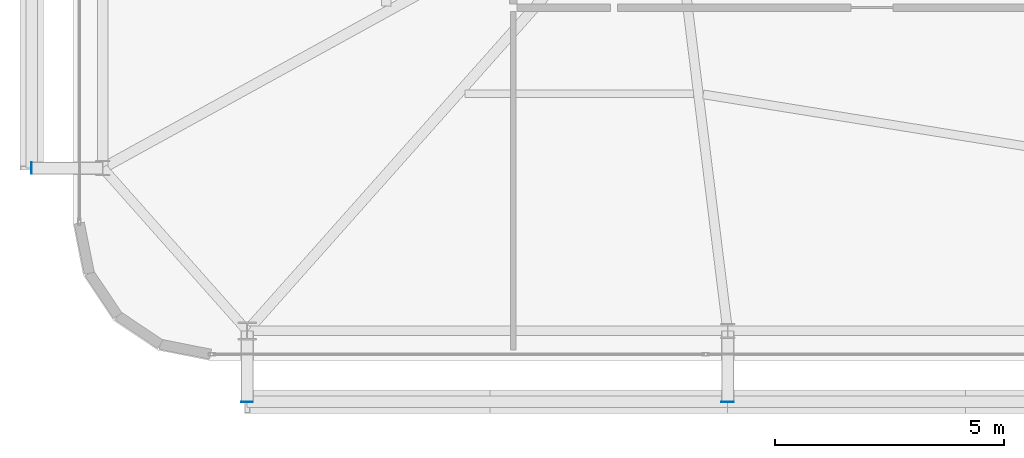
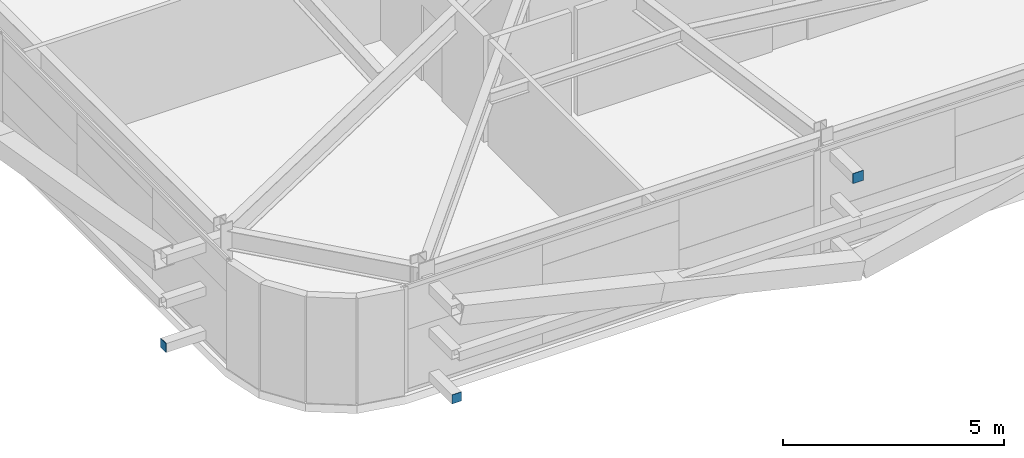
# One storey, part 31 of 44: 3 plates.
"""IFC4 building model written with IfcOpenShell, lengths in metres."""

from ifc_helpers import new_model, si_unit, direction, frame, origin, origin_2d, place, context, subcontext, project, spatial, rectangle, extrude, source, transform, mapped, material, layer, layer_set, type_object, element, save


model = new_model("IFC4")

# Units and contexts
model_context = context("Model", 3, precision=1e-05, world=origin(), true_north=direction((0.0, 1.0)))
body_context = subcontext(model_context, "Body", "Model", "MODEL_VIEW")
ifc_project = project(units=[si_unit("LENGTHUNIT", "METRE"), si_unit("AREAUNIT", "SQUARE_METRE"), si_unit("VOLUMEUNIT", "CUBIC_METRE"), si_unit("PLANEANGLEUNIT", "RADIAN"), si_unit("MASSUNIT", "GRAM", prefix="KILO")], contexts=[model_context])

# Site, building, storey
site_placement = place(None, origin())
site = spatial("IfcSite", under=ifc_project, at=site_placement, CompositionType="ELEMENT")
building_placement = place(site_placement, origin())
building = spatial("IfcBuilding", under=site, at=building_placement, Name="Taldren Reach Tower", CompositionType="ELEMENT")
storey_placement = place(building_placement, frame((0.0, 0.0, 38.85009765625)))
storey = spatial("IfcBuildingStorey", under=building, at=storey_placement, Name="L11", CompositionType="ELEMENT", Elevation=38.85009765625)

# Plates
ifc_material_1 = material(Name="Steel Gr 450 (C450L0)", Category="steel")
ifc_layer_1 = layer(ifc_material_1, 0.011962890625)
ifc_layer_set_1 = layer_set([ifc_layer_1], Name="Steel Gr 450 (C450L0)")
plate_type_1 = type_object("IfcPlateType", Name="PL-CAP-275", PredefinedType="SHEET", material=ifc_layer_set_1)
shared_shape_1 = source(origin(), body_context, "Body", "SweptSolid", [
    extrude(rectangle(XDim=0.27490234375, YDim=0.011962890625, at=origin_2d()), origin(), (0.0, 0.0, 1.0), 0.27490234375),
])
plate_1_placement = place(storey_placement, frame((19.280029296875, 0.593994140625, 2.512451171875), z_axis=(0.0, 0.0, 1.0), x_axis=(1.0, 0.0, 0.0)))
element("IfcPlate", 1, at=plate_1_placement, inside=storey, type_object=plate_type_1, Name="Tie strut end cap plate B1-S2 L11", PredefinedType="SHEET", context=body_context, shape_type="MappedRepresentation", body=[
    mapped(shared_shape_1, transform((0.0, 0.0, 0.0), scale=1.0)),
])
ifc_material_2 = material(Name="Steel Gr 350 (C350L0)", Category="steel")
ifc_layer_2 = layer(ifc_material_2, 0.011962890625)
ifc_layer_set_2 = layer_set([ifc_layer_2], Name="Steel Gr 350 (C350L0)")
plate_type_2 = type_object("IfcPlateType", Name="PL-CAP-250", PredefinedType="SHEET", material=ifc_layer_set_2)
shared_shape_2 = source(origin(), body_context, "Body", "SweptSolid", [
    extrude(rectangle(XDim=0.25, YDim=0.011962890625, at=origin_2d()), origin(), (0.0, 0.0, 1.0), 0.25),
])
plate_2_placement = place(storey_placement, frame((8.800048828125, 0.593994140625, 0.094970703125), z_axis=(0.0, 0.0, 1.0), x_axis=(1.0, 0.0, 0.0)))
element("IfcPlate", 2, at=plate_2_placement, inside=storey, type_object=plate_type_2, Name="Tie strut end cap plate B1-S1 L11", PredefinedType="SHEET", context=body_context, shape_type="MappedRepresentation", body=[
    mapped(shared_shape_2, transform((0.0, 0.0, 0.0), scale=1.0)),
])
shared_shape_3 = source(origin(), body_context, "Body", "SweptSolid", [
    extrude(rectangle(XDim=0.011962890625, YDim=0.25, at=origin_2d()), origin(), (0.0, 0.0, 1.0), 0.25),
])
plate_3_placement = place(storey_placement, frame((4.093994140625, 5.699951171875, 0.094970703125), z_axis=(0.0, 0.0, 1.0), x_axis=(1.0, 0.0, 0.0)))
element("IfcPlate", 3, at=plate_3_placement, inside=storey, type_object=plate_type_2, Name="Tie strut end cap plate B1-W1 L11", PredefinedType="SHEET", context=body_context, shape_type="MappedRepresentation", body=[
    mapped(shared_shape_3, transform((0.0, 0.0, 0.0), scale=1.0)),
])

save(model, "model.ifc")
